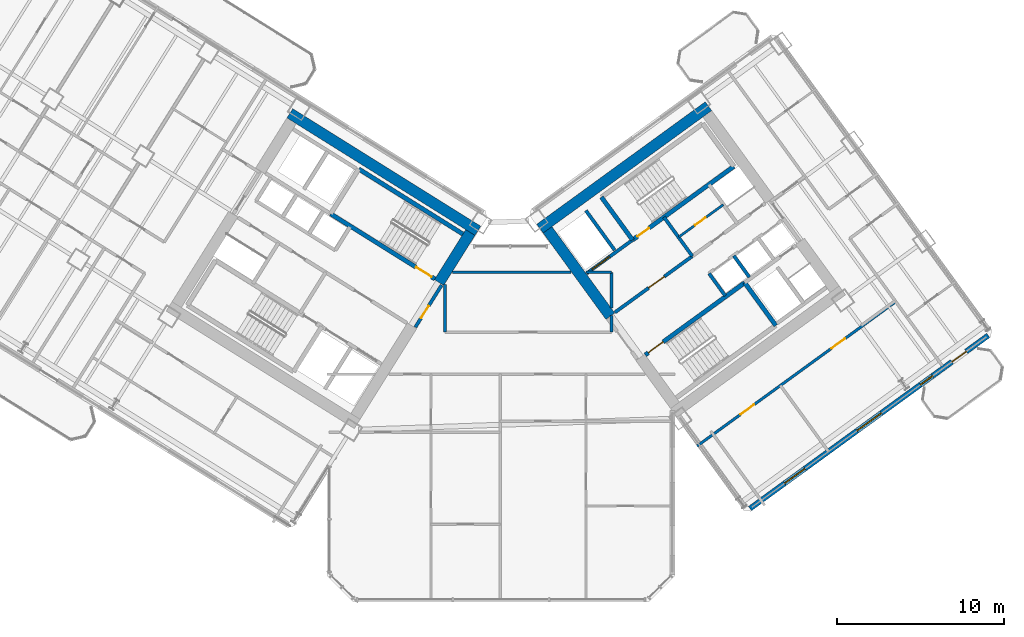
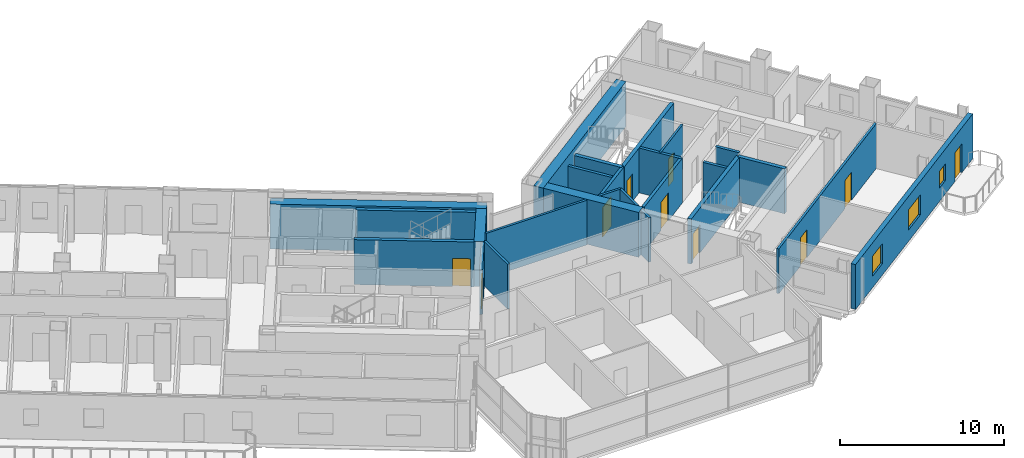
# One storey, part 18 of 28: 25 walls, 10 doors, 3 windows, 13 openings.
"""IFC4 building model written with IfcOpenShell, lengths in metres."""

from ifc_helpers import new_model, si_unit, direction, frame, frame_2d, origin, place, context, subcontext, project, spatial, rectangle, extrude, source, transform, mapped, material, layer, layer_set, type_object, element, fill, save


model = new_model("IFC4")

# Units and contexts
model_context = context("Model", 3, precision=1e-05, world=origin(), true_north=direction((0.0, 1.0)))
body_context = subcontext(model_context, "Body", "Model", "MODEL_VIEW")
ifc_project = project(units=[si_unit("LENGTHUNIT", "METRE"), si_unit("AREAUNIT", "SQUARE_METRE"), si_unit("VOLUMEUNIT", "CUBIC_METRE"), si_unit("PLANEANGLEUNIT", "RADIAN"), si_unit("MASSUNIT", "GRAM", prefix="KILO")], contexts=[model_context])

# Site, building, storey
site_placement = place(None, origin())
site = spatial("IfcSite", under=ifc_project, at=site_placement, CompositionType="ELEMENT")
building_placement = place(site_placement, origin())
building = spatial("IfcBuilding", under=site, at=building_placement, Name="Tlacorven Tower", CompositionType="ELEMENT")
storey_placement = place(building_placement, frame((0.0, 0.0, 56.39990234375)))
storey = spatial("IfcBuildingStorey", under=building, at=storey_placement, Name="L14", CompositionType="ELEMENT", Elevation=56.39990234375)

# Walls
ifc_material_1 = material(Name="Concrete C60/75", Category="concrete")
ifc_layer_1 = layer(ifc_material_1, 0.64990234375)
ifc_layer_set_1 = layer_set([ifc_layer_1], Name="Concrete C60/75")
wall_type_1 = type_object("IfcWallType", Name="WL-COR-650", PredefinedType="SHEAR", material=ifc_layer_set_1)
wall_1_placement = place(storey_placement, frame((40.615478515625, 23.9833984375, 0.0), z_axis=(0.0, 0.0, 1.0), x_axis=(-0.848045953968, 0.529922692436, 0.0)))
element("IfcWall", 1, at=wall_1_placement, inside=storey, type_object=wall_type_1, Name="L14 W core shear wall S1", PredefinedType="SHEAR", context=body_context, shape_type="SweptSolid", body=[
    extrude(rectangle(XDim=13.239990234375, YDim=0.64990234375, at=frame_2d((6.6201171875, 0.0))), origin(), (0.0, 0.0, 1.0), 3.35009765625),
])
wall_2_placement = place(storey_placement, frame((40.167724609375, 23.880126953125, 0.0), z_axis=(0.0, 0.0, 1.0), x_axis=(-0.529893103397, -0.8480644427, 0.0)))
element("IfcWall", 2, at=wall_2_placement, inside=storey, type_object=wall_type_1, Name="L14 W core end wall E1.1", PredefinedType="SHEAR", context=body_context, shape_type="SweptSolid", body=[
    extrude(rectangle(XDim=3.525146484375, YDim=0.64990234375, at=frame_2d((1.7626953125, 0.0))), origin(), (0.0, 0.0, 1.0), 3.35009765625),
])
wall_3_placement = place(storey_placement, frame((44.32470703125, 24.113037109375, 0.0), z_axis=(0.0, 0.0, 1.0), x_axis=(0.809012664862, 0.58779121131, 0.0)))
element("IfcWall", 3, at=wall_3_placement, inside=storey, type_object=wall_type_1, Name="L14 E core shear wall S2", PredefinedType="SHEAR", context=body_context, shape_type="SweptSolid", body=[
    extrude(rectangle(XDim=12.439697265625, YDim=0.64990234375, at=frame_2d((6.2197265625, 0.0))), origin(), (0.0, 0.0, 1.0), 3.35009765625),
])
wall_4_placement = place(storey_placement, frame((48.525634765625, 18.883544921875, 0.0), z_axis=(0.0, 0.0, 1.0), x_axis=(-0.58777996584, 0.809020835181, 0.0)))
element("IfcWall", 4, at=wall_4_placement, inside=storey, type_object=wall_type_1, Name="L14 E core end wall E1.2", PredefinedType="SHEAR", context=body_context, shape_type="SweptSolid", body=[
    extrude(rectangle(XDim=6.375, YDim=0.64990234375, at=frame_2d((3.1875, 0.0))), origin(), (0.0, 0.0, 1.0), 3.35009765625),
])
ifc_material_2 = material(Name="Gypsum plasterboard acoustic partition", Category="gypsum")
ifc_layer_2 = layer(ifc_material_2, 0.159912109375)
ifc_layer_set_2 = layer_set([ifc_layer_2], Name="Gypsum plasterboard acoustic partition")
wall_type_2 = type_object("IfcWallType", Name="WL-DEM-160", PredefinedType="PARTITIONING", material=ifc_layer_set_2)
wall_5_placement = place(storey_placement, frame((38.64990234375, 17.929931640625, 0.0), z_axis=(0.0, 0.0, 1.0), x_axis=(0.0, 1.0, 0.0)))
element("IfcWall", 5, at=wall_5_placement, inside=storey, type_object=wall_type_2, Name="L14 partition 75", PredefinedType="PARTITIONING", context=body_context, shape_type="SweptSolid", body=[
    extrude(rectangle(XDim=2.85693359375, YDim=0.159912109375, at=frame_2d((1.428466796875, 0.0))), origin(), (0.0, 0.0, 1.0), 3.340087890625),
])
wall_6_placement = place(storey_placement, frame((48.60009765625, 17.929931640625, 0.0), z_axis=(0.0, 0.0, 1.0), x_axis=(0.0, 1.0, 0.0)))
element("IfcWall", 6, at=wall_6_placement, inside=storey, type_object=wall_type_2, Name="L14 partition 76", PredefinedType="PARTITIONING", context=body_context, shape_type="SweptSolid", body=[
    extrude(rectangle(XDim=0.99267578125, YDim=0.159912109375, at=frame_2d((0.496337890625, 0.0))), origin(), (0.0, 0.0, 1.0), 3.340087890625),
])
wall_7_placement = place(storey_placement, frame((48.60009765625, 19.380126953125, 0.0), z_axis=(0.0, 0.0, 1.0), x_axis=(0.0, 1.0, 0.0)))
element("IfcWall", 7, at=wall_7_placement, inside=storey, type_object=wall_type_2, Name="L14 partition 76", PredefinedType="PARTITIONING", context=body_context, shape_type="SweptSolid", body=[
    extrude(rectangle(XDim=2.119873046875, YDim=0.159912109375, at=frame_2d((1.06005859375, 0.0))), origin(), (0.0, 0.0, 1.0), 3.340087890625),
])
wall_8_placement = place(storey_placement, frame((39.095458984375, 21.5, 0.0), z_axis=(0.0, 0.0, 1.0), x_axis=(1.0, 0.0, 0.0)))
element("IfcWall", 8, at=wall_8_placement, inside=storey, type_object=wall_type_2, Name="L14 partition 77", PredefinedType="PARTITIONING", context=body_context, shape_type="SweptSolid", body=[
    extrude(rectangle(XDim=7.09423828125, YDim=0.159912109375, at=frame_2d((3.547119140625, 0.0))), origin(), (0.0, 0.0, 1.0), 3.340087890625),
])
wall_9_placement = place(storey_placement, frame((47.059814453125, 21.5, 0.0), z_axis=(0.0, 0.0, 1.0), x_axis=(1.0, 0.0, 0.0)))
element("IfcWall", 9, at=wall_9_placement, inside=storey, type_object=wall_type_2, Name="L14 partition 77", PredefinedType="PARTITIONING", context=body_context, shape_type="SweptSolid", body=[
    extrude(rectangle(XDim=1.540283203125, YDim=0.159912109375, at=frame_2d((0.77001953125, 0.0))), origin(), (0.0, 0.0, 1.0), 3.340087890625),
])

# Wall, openings, doors
wall_10_placement = place(storey_placement, frame((53.70458984375, 11.1259765625, 0.0), z_axis=(0.0, 0.0, 1.0), x_axis=(0.809014504436, 0.587788679384, 0.0)))
wall_10 = element("IfcWall", 10, at=wall_10_placement, inside=storey, type_object=wall_type_2, Name="L14 partition 98", PredefinedType="PARTITIONING", context=body_context, shape_type="SweptSolid", body=[
    extrude(rectangle(XDim=14.669921875, YDim=0.159912109375, at=frame_2d((7.3349609375, 0.0))), origin(), (0.0, 0.0, 1.0), 3.340087890625),
])
opening_1_placement = place(wall_10_placement, frame((3.215087890625, 0.0, 0.0)))
opening_1 = element("IfcOpeningElement", 11, at=opening_1_placement, cuts=wall_10, Name="Opening D11", PredefinedType="OPENING", context=body_context, shape_type="SweptSolid", body=[
    extrude(rectangle(XDim=1.0, YDim=2.10009765625, at=frame_2d((0.5, 1.050048828125))), frame((0.0, 0.08984375, 0.0), z_axis=(0.0, -1.0, 0.0), x_axis=(1.0, 0.0, 0.0)), (0.0, 0.0, 1.0), 0.179931640625),
])
opening_2_placement = place(wall_10_placement, frame((9.9150390625, 0.0, 0.0)))
opening_2 = element("IfcOpeningElement", 12, at=opening_2_placement, cuts=wall_10, Name="Opening D11", PredefinedType="OPENING", context=body_context, shape_type="SweptSolid", body=[
    extrude(rectangle(XDim=1.0, YDim=2.10009765625, at=frame_2d((0.5, 1.050048828125))), frame((0.0, 0.08984375, 0.0), z_axis=(0.0, -1.0, 0.0), x_axis=(1.0, 0.0, 0.0)), (0.0, 0.0, 1.0), 0.179931640625),
])
ifc_material_3 = material(Name="Fire-rated steel door assembly", Category="steel")
door_type_1 = type_object("IfcDoorType", Name="DR-FLT-FD60-1000", OperationType="NOTDEFINED", PredefinedType="DOOR", material=ifc_material_3)
shared_shape_1 = source(origin(), body_context, "Body", "SweptSolid", [
    extrude(rectangle(XDim=1.0, YDim=2.10009765625, at=frame_2d((0.5, 1.050048828125))), frame((0.0, 0.02490234375, 0.0), z_axis=(0.0, -1.0, 0.0), x_axis=(1.0, 0.0, 0.0)), (0.0, 0.0, 1.0), 0.050048828125),
])
door_1_placement = place(opening_1_placement, origin())
door_1 = element("IfcDoor", 13, at=door_1_placement, inside=storey, type_object=door_type_1, Name="L14 door 059", OperationType="SINGLE_SWING_LEFT", OverallHeight=2.10009765625, OverallWidth=1.0, PredefinedType="DOOR", context=body_context, shape_type="MappedRepresentation", body=[
    mapped(shared_shape_1, transform((0.0, 0.0, 0.0), scale=1.0)),
])
fill(opening_1, door_1)
door_2_placement = place(opening_2_placement, origin())
door_2 = element("IfcDoor", 14, at=door_2_placement, inside=storey, type_object=door_type_1, Name="L14 door 060", OperationType="SINGLE_SWING_RIGHT", OverallHeight=2.10009765625, OverallWidth=1.0, PredefinedType="DOOR", context=body_context, shape_type="MappedRepresentation", body=[
    mapped(shared_shape_1, transform((0.0, 0.0, 0.0), scale=1.0)),
])
fill(opening_2, door_2)

# Wall, openings, door, windows
ifc_material_4 = material(Name="Precast concrete C45/55", Category="concrete")
ifc_layer_3 = layer(ifc_material_4, 0.320068359375)
ifc_layer_set_3 = layer_set([ifc_layer_3], Name="Precast concrete C45/55")
wall_type_3 = type_object("IfcWallType", Name="WL-EXT-320", PredefinedType="STANDARD", material=ifc_layer_set_3)
wall_11_placement = place(storey_placement, frame((71.097900390625, 17.73095703125, 0.0), z_axis=(0.0, 0.0, 1.0), x_axis=(-0.809021120468, -0.587779573171, 0.0)))
wall_11 = element("IfcWall", 15, at=wall_11_placement, inside=storey, type_object=wall_type_3, Name="L14 Masonry-Frame Recessed Facade Wall 6", PredefinedType="STANDARD", context=body_context, shape_type="SweptSolid", body=[
    extrude(rectangle(XDim=17.587646484375, YDim=0.320068359375, at=frame_2d((8.7939453125, 0.0))), origin(), (0.0, 0.0, 1.0), 3.35009765625),
])
opening_3_placement = place(wall_11_placement, frame((1.623779296875, 0.0, 0.0)))
opening_3 = element("IfcOpeningElement", 16, at=opening_3_placement, cuts=wall_11, Name="Opening D06", PredefinedType="OPENING", context=body_context, shape_type="SweptSolid", body=[
    extrude(rectangle(XDim=1.050048828125, YDim=2.14990234375, at=frame_2d((0.52490234375, 1.074951171875))), frame((0.0, 0.169921875, 0.0), z_axis=(0.0, -1.0, 0.0), x_axis=(1.0, 0.0, 0.0)), (0.0, 0.0, 1.0), 0.340087890625),
])
opening_4_placement = place(wall_11_placement, frame((4.103759765625, 0.0, 1.0)))
opening_4 = element("IfcOpeningElement", 17, at=opening_4_placement, cuts=wall_11, Name="Opening WN05", PredefinedType="OPENING", context=body_context, shape_type="SweptSolid", body=[
    extrude(rectangle(XDim=0.89990234375, YDim=1.25, at=frame_2d((0.449951171875, 0.625))), frame((0.0, 0.169921875, 0.0), z_axis=(0.0, -1.0, 0.0), x_axis=(1.0, 0.0, 0.0)), (0.0, 0.0, 1.0), 0.340087890625),
])
opening_5_placement = place(wall_11_placement, frame((7.878662109375, 0.0, 0.85009765625)))
opening_5 = element("IfcOpeningElement", 18, at=opening_5_placement, cuts=wall_11, Name="Opening WN01", PredefinedType="OPENING", context=body_context, shape_type="SweptSolid", body=[
    extrude(rectangle(XDim=1.800048828125, YDim=1.5, at=frame_2d((0.89990234375, 0.75))), frame((0.0, 0.169921875, 0.0), z_axis=(0.0, -1.0, 0.0), x_axis=(1.0, 0.0, 0.0)), (0.0, 0.0, 1.0), 0.340087890625),
])
opening_6_placement = place(wall_11_placement, frame((13.52880859375, 0.0, 0.85009765625)))
opening_6 = element("IfcOpeningElement", 19, at=opening_6_placement, cuts=wall_11, Name="Opening WN02", PredefinedType="OPENING", context=body_context, shape_type="SweptSolid", body=[
    extrude(rectangle(XDim=1.5, YDim=1.5, at=frame_2d((0.75, 0.75))), frame((0.0, 0.169921875, 0.0), z_axis=(0.0, -1.0, 0.0), x_axis=(1.0, 0.0, 0.0)), (0.0, 0.0, 1.0), 0.340087890625),
])
ifc_material_5 = material(Name="Powder-coated aluminium and timber door", Category="wood")
door_type_2 = type_object("IfcDoorType", Name="DR-EXT-BALC-1050", OperationType="NOTDEFINED", PredefinedType="DOOR", material=ifc_material_5)
shared_shape_2 = source(origin(), body_context, "Body", "SweptSolid", [
    extrude(rectangle(XDim=1.050048828125, YDim=2.14990234375, at=frame_2d((0.52490234375, 1.074951171875))), frame((0.0, 0.02490234375, 0.0), z_axis=(0.0, -1.0, 0.0), x_axis=(1.0, 0.0, 0.0)), (0.0, 0.0, 1.0), 0.050048828125),
])
door_3_placement = place(opening_3_placement, origin())
door_3 = element("IfcDoor", 20, at=door_3_placement, inside=storey, type_object=door_type_2, Name="L14 Outdoor Access Door BAL-L14-E-OUT", OperationType="SINGLE_SWING_LEFT", OverallHeight=2.14990234375, OverallWidth=1.050048828125, PredefinedType="DOOR", context=body_context, shape_type="MappedRepresentation", body=[
    mapped(shared_shape_2, transform((0.0, 0.0, 0.0), scale=1.0)),
])
fill(opening_3, door_3)
ifc_material_6 = material(Name="Dark solar low-E double glazing in anodised aluminium frame", Category="aluminium")
window_type_1 = type_object("IfcWindowType", Name="WN-APT-1800X1650", PartitioningType="SINGLE_PANEL", PredefinedType="WINDOW", material=ifc_material_6)
shared_shape_3 = source(origin(), body_context, "Body", "SweptSolid", [
    extrude(rectangle(XDim=1.800048828125, YDim=1.5, at=frame_2d((0.89990234375, 0.75))), frame((0.0, 0.030029296875, 0.0), z_axis=(0.0, -1.0, 0.0), x_axis=(1.0, 0.0, 0.0)), (0.0, 0.0, 1.0), 0.06005859375),
])
window_1_placement = place(opening_5_placement, origin())
window_1 = element("IfcWindow", 21, at=window_1_placement, inside=storey, type_object=window_type_1, Name="L14 Recessed Masonry-Frame Window L14-06.2", OverallHeight=1.5, OverallWidth=1.800048828125, PartitioningType="SINGLE_PANEL", PredefinedType="WINDOW", context=body_context, shape_type="MappedRepresentation", body=[
    mapped(shared_shape_3, transform((0.0, 0.0, 0.0), scale=1.0)),
])
fill(opening_5, window_1)
window_type_2 = type_object("IfcWindowType", Name="WN-APT-1500X1650", PartitioningType="SINGLE_PANEL", PredefinedType="WINDOW", material=ifc_material_6)
shared_shape_4 = source(origin(), body_context, "Body", "SweptSolid", [
    extrude(rectangle(XDim=1.5, YDim=1.5, at=frame_2d((0.75, 0.75))), frame((0.0, 0.030029296875, 0.0), z_axis=(0.0, -1.0, 0.0), x_axis=(1.0, 0.0, 0.0)), (0.0, 0.0, 1.0), 0.06005859375),
])
window_2_placement = place(opening_6_placement, origin())
window_2 = element("IfcWindow", 22, at=window_2_placement, inside=storey, type_object=window_type_2, Name="L14 Recessed Masonry-Frame Window L14-06.3", OverallHeight=1.5, OverallWidth=1.5, PartitioningType="SINGLE_PANEL", PredefinedType="WINDOW", context=body_context, shape_type="MappedRepresentation", body=[
    mapped(shared_shape_4, transform((0.0, 0.0, 0.0), scale=1.0)),
])
fill(opening_6, window_2)
window_type_3 = type_object("IfcWindowType", Name="WN-APT-0900X1350", PartitioningType="SINGLE_PANEL", PredefinedType="WINDOW", material=ifc_material_6)
shared_shape_5 = source(origin(), body_context, "Body", "SweptSolid", [
    extrude(rectangle(XDim=0.89990234375, YDim=1.25, at=frame_2d((0.449951171875, 0.625))), frame((0.0, 0.030029296875, 0.0), z_axis=(0.0, -1.0, 0.0), x_axis=(1.0, 0.0, 0.0)), (0.0, 0.0, 1.0), 0.06005859375),
])
window_3_placement = place(opening_4_placement, origin())
window_3 = element("IfcWindow", 23, at=window_3_placement, inside=storey, type_object=window_type_3, Name="L14 Recessed Masonry-Frame Window L14-06.1", OverallHeight=1.25, OverallWidth=0.89990234375, PartitioningType="SINGLE_PANEL", PredefinedType="WINDOW", context=body_context, shape_type="MappedRepresentation", body=[
    mapped(shared_shape_5, transform((0.0, 0.0, 0.0), scale=1.0)),
])
fill(opening_4, window_3)

# Wall, opening, door
ifc_material_7 = material(Name="Moisture-resistant gypsum plumbing wall", Category="gypsum")
ifc_layer_4 = layer(ifc_material_7, 0.139892578125)
ifc_layer_set_4 = layer_set([ifc_layer_4], Name="Moisture-resistant gypsum plumbing wall")
wall_type_4 = type_object("IfcWallType", Name="WL-PLM-140", PredefinedType="PLUMBINGWALL", material=ifc_layer_set_4)
wall_12_placement = place(storey_placement, frame((52.617919921875, 23.612060546875, 0.0), z_axis=(0.0, 0.0, 1.0), x_axis=(0.809009587469, 0.587795446889, 0.0)))
wall_12 = element("IfcWall", 24, at=wall_12_placement, inside=storey, type_object=wall_type_4, Name="L14 partition 45", PredefinedType="PLUMBINGWALL", context=body_context, shape_type="SweptSolid", body=[
    extrude(rectangle(XDim=3.280029296875, YDim=0.139892578125, at=frame_2d((1.64013671875, 0.0))), origin(), (0.0, 0.0, 1.0), 3.340087890625),
])
opening_7_placement = place(wall_12_placement, frame((1.199951171875, 0.0, 0.0)))
opening_7 = element("IfcOpeningElement", 25, at=opening_7_placement, cuts=wall_12, Name="Opening D22", PredefinedType="OPENING", context=body_context, shape_type="SweptSolid", body=[
    extrude(rectangle(XDim=0.780029296875, YDim=2.050048828125, at=frame_2d((0.39013671875, 1.02490234375))), frame((0.0, 0.080078125, 0.0), z_axis=(0.0, -1.0, 0.0), x_axis=(1.0, 0.0, 0.0)), (0.0, 0.0, 1.0), 0.159912109375),
])
door_type_3 = type_object("IfcDoorType", Name="DR-INT-WET-0780", OperationType="NOTDEFINED", PredefinedType="DOOR", material=ifc_material_5)
shared_shape_6 = source(origin(), body_context, "Body", "SweptSolid", [
    extrude(rectangle(XDim=0.780029296875, YDim=2.050048828125, at=frame_2d((0.39013671875, 1.02490234375))), frame((0.0, 0.02490234375, 0.0), z_axis=(0.0, -1.0, 0.0), x_axis=(1.0, 0.0, 0.0)), (0.0, 0.0, 1.0), 0.050048828125),
])
door_4_placement = place(opening_7_placement, origin())
door_4 = element("IfcDoor", 26, at=door_4_placement, inside=storey, type_object=door_type_3, Name="L14 door 018", OperationType="SINGLE_SWING_LEFT", OverallHeight=2.050048828125, OverallWidth=0.780029296875, PredefinedType="DOOR", context=body_context, shape_type="MappedRepresentation", body=[
    mapped(shared_shape_6, transform((0.0, 0.0, 0.0), scale=1.0)),
])
fill(opening_7, door_4)

ifc_material_8 = material(Name="Concrete C40/50", Category="concrete")
ifc_layer_5 = layer(ifc_material_8, 0.199951171875)
ifc_layer_set_5 = layer_set([ifc_layer_5], Name="Concrete C40/50")
wall_type_5 = type_object("IfcWallType", Name="WL-SHF-200", PredefinedType="STANDARD", material=ifc_layer_set_5)
wall_13_placement = place(storey_placement, frame((47.10595703125, 21.4365234375, 0.0), z_axis=(0.0, 0.0, 1.0), x_axis=(0.809012514015, 0.58779141893, 0.0)))
wall_13 = element("IfcWall", 27, at=wall_13_placement, inside=storey, type_object=wall_type_5, Name="L14 Core E Firefighting Lift Shaft Front Wall", PredefinedType="STANDARD", context=body_context, shape_type="SweptSolid", body=[
    extrude(rectangle(XDim=3.39794921875, YDim=0.199951171875, at=frame_2d((1.698974609375, 0.0))), origin(), (0.0, 0.0, 1.0), 3.340087890625),
])
opening_8_placement = place(wall_13_placement, frame((0.407958984375, 0.0, 0.0)))
opening_8 = element("IfcOpeningElement", 28, at=opening_8_placement, cuts=wall_13, Name="Opening LD03", PredefinedType="OPENING", context=body_context, shape_type="SweptSolid", body=[
    extrude(rectangle(XDim=1.300048828125, YDim=2.199951171875, at=frame_2d((0.64990234375, 1.10009765625))), frame((0.0, 0.10986328125, 0.0), z_axis=(0.0, -1.0, 0.0), x_axis=(1.0, 0.0, 0.0)), (0.0, 0.0, 1.0), 0.219970703125),
])
door_type_4 = type_object("IfcDoorType", Name="DR-LFT-SLID-1300", OperationType="DOUBLE_DOOR_SLIDING", PredefinedType="DOOR", material=ifc_material_3)
shared_shape_7 = source(origin(), body_context, "Body", "SweptSolid", [
    extrude(rectangle(XDim=1.300048828125, YDim=2.199951171875, at=frame_2d((0.64990234375, 1.10009765625))), frame((0.0, 0.02490234375, 0.0), z_axis=(0.0, -1.0, 0.0), x_axis=(1.0, 0.0, 0.0)), (0.0, 0.0, 1.0), 0.050048828125),
])
door_5_placement = place(opening_8_placement, origin())
door_5 = element("IfcDoor", 29, at=door_5_placement, inside=storey, type_object=door_type_4, Name="L14 Lift FFL-E1 Sliding Landing Door", OperationType="DOUBLE_DOOR_SLIDING", OverallHeight=2.199951171875, OverallWidth=1.300048828125, PredefinedType="DOOR", context=body_context, shape_type="MappedRepresentation", body=[
    mapped(shared_shape_7, transform((0.0, 0.0, 0.0), scale=1.0)),
])
fill(opening_8, door_5)

wall_14_placement = place(storey_placement, frame((48.798828125, 19.106689453125, 0.0), z_axis=(0.0, 0.0, 1.0), x_axis=(0.809012959416, 0.587790805897, 0.0)))
wall_14 = element("IfcWall", 30, at=wall_14_placement, inside=storey, type_object=wall_type_5, Name="L14 Core E Smoke Lobby Wall", PredefinedType="STANDARD", context=body_context, shape_type="SweptSolid", body=[
    extrude(rectangle(XDim=5.7177734375, YDim=0.199951171875, at=frame_2d((2.85888671875, 0.0))), origin(), (0.0, 0.0, 1.0), 3.340087890625),
])
opening_9_placement = place(wall_14_placement, frame((2.498046875, 0.0, 0.0)))
opening_9 = element("IfcOpeningElement", 31, at=opening_9_placement, cuts=wall_14, Name="Opening D09", PredefinedType="OPENING", context=body_context, shape_type="SweptSolid", body=[
    extrude(rectangle(XDim=1.14990234375, YDim=2.10009765625, at=frame_2d((0.574951171875, 1.050048828125))), frame((0.0, 0.10986328125, 0.0), z_axis=(0.0, -1.0, 0.0), x_axis=(1.0, 0.0, 0.0)), (0.0, 0.0, 1.0), 0.219970703125),
])
door_type_5 = type_object("IfcDoorType", Name="DR-FFL-FD60-1150", OperationType="NOTDEFINED", PredefinedType="DOOR", material=ifc_material_3)
shared_shape_8 = source(origin(), body_context, "Body", "SweptSolid", [
    extrude(rectangle(XDim=1.14990234375, YDim=2.10009765625, at=frame_2d((0.574951171875, 1.050048828125))), frame((0.0, 0.02490234375, 0.0), z_axis=(0.0, -1.0, 0.0), x_axis=(1.0, 0.0, 0.0)), (0.0, 0.0, 1.0), 0.050048828125),
])
door_6_placement = place(opening_9_placement, origin())
door_6 = element("IfcDoor", 32, at=door_6_placement, inside=storey, type_object=door_type_5, Name="L14 Firefighting Lobby E Fire Door", OperationType="SINGLE_SWING_LEFT", OverallHeight=2.10009765625, OverallWidth=1.14990234375, PredefinedType="DOOR", context=body_context, shape_type="MappedRepresentation", body=[
    mapped(shared_shape_8, transform((0.0, 0.0, 0.0), scale=1.0)),
])
fill(opening_9, door_6)

# Walls
wall_15_placement = place(storey_placement, frame((55.390869140625, 20.1015625, 0.0), z_axis=(0.0, 0.0, 1.0), x_axis=(-0.58778447739, 0.809017557374, 0.0)))
element("IfcWall", 33, at=wall_15_placement, inside=storey, type_object=wall_type_5, Name="L14 partition 34", PredefinedType="STANDARD", context=body_context, shape_type="SweptSolid", body=[
    extrude(rectangle(XDim=1.64990234375, YDim=0.199951171875, at=frame_2d((0.824951171875, 0.0))), origin(), (0.0, 0.0, 1.0), 3.340087890625),
])
wall_16_placement = place(storey_placement, frame((48.78564453125, 22.830078125, 0.0), z_axis=(0.0, 0.0, 1.0), x_axis=(-0.587783856777, 0.809018008275, 0.0)))
element("IfcWall", 34, at=wall_16_placement, inside=storey, type_object=wall_type_5, Name="L14 partition 35", PredefinedType="STANDARD", context=body_context, shape_type="SweptSolid", body=[
    extrude(rectangle(XDim=2.919921875, YDim=0.199951171875, at=frame_2d((1.4599609375, 0.0))), origin(), (0.0, 0.0, 1.0), 3.340087890625),
])
wall_17_placement = place(storey_placement, frame((56.833984375, 21.211669921875, 0.0), z_axis=(0.0, 0.0, 1.0), x_axis=(-0.58776738483, 0.809029975545, 0.0)))
element("IfcWall", 35, at=wall_17_placement, inside=storey, type_object=wall_type_5, Name="L14 partition 36", PredefinedType="STANDARD", context=body_context, shape_type="SweptSolid", body=[
    extrude(rectangle(XDim=1.580078125, YDim=0.199951171875, at=frame_2d((0.7900390625, 0.0))), origin(), (0.0, 0.0, 1.0), 3.340087890625),
])
wall_18_placement = place(storey_placement, frame((53.424560546875, 22.467529296875, 0.0), z_axis=(0.0, 0.0, 1.0), x_axis=(-0.5877230039, 0.809062216821, 0.0)))
element("IfcWall", 36, at=wall_18_placement, inside=storey, type_object=wall_type_5, Name="L14 partition 42", PredefinedType="STANDARD", context=body_context, shape_type="SweptSolid", body=[
    extrude(rectangle(XDim=2.8798828125, YDim=0.199951171875, at=frame_2d((1.43994140625, 0.0))), origin(), (0.0, 0.0, 1.0), 3.340087890625),
])

# Wall, opening, door
wall_19_placement = place(storey_placement, frame((38.451416015625, 20.737060546875, 0.0), z_axis=(0.0, 0.0, 1.0), x_axis=(-0.529924799939, -0.848044637038, 0.0)))
wall_19 = element("IfcWall", 37, at=wall_19_placement, inside=storey, type_object=wall_type_5, Name="L14 partition 72", PredefinedType="STANDARD", context=body_context, shape_type="SweptSolid", body=[
    extrude(rectangle(XDim=2.9599609375, YDim=0.199951171875, at=frame_2d((1.47998046875, 0.0))), origin(), (0.0, 0.0, 1.0), 3.340087890625),
])
opening_10_placement = place(wall_19_placement, frame((1.4599609375, 0.0, 0.0)))
opening_10 = element("IfcOpeningElement", 38, at=opening_10_placement, cuts=wall_19, Name="Opening D19", PredefinedType="OPENING", context=body_context, shape_type="SweptSolid", body=[
    extrude(rectangle(XDim=0.860107421875, YDim=2.050048828125, at=frame_2d((0.43017578125, 1.02490234375))), frame((0.0, 0.10986328125, 0.0), z_axis=(0.0, -1.0, 0.0), x_axis=(1.0, 0.0, 0.0)), (0.0, 0.0, 1.0), 0.219970703125),
])
door_type_6 = type_object("IfcDoorType", Name="DR-RSR-FD60-0860", OperationType="NOTDEFINED", PredefinedType="DOOR", material=ifc_material_3)
shared_shape_9 = source(origin(), body_context, "Body", "SweptSolid", [
    extrude(rectangle(XDim=0.860107421875, YDim=2.050048828125, at=frame_2d((0.43017578125, 1.02490234375))), frame((0.0, 0.02490234375, 0.0), z_axis=(0.0, -1.0, 0.0), x_axis=(1.0, 0.0, 0.0)), (0.0, 0.0, 1.0), 0.050048828125),
])
door_7_placement = place(opening_10_placement, frame((0.860107421875, 0.0, 0.0), z_axis=(0.0, 0.0, 1.0), x_axis=(-1.0, 0.0, 0.0)))
door_7 = element("IfcDoor", 39, at=door_7_placement, inside=storey, type_object=door_type_6, Name="L14 door 041", OperationType="SINGLE_SWING_LEFT", OverallHeight=2.050048828125, OverallWidth=0.860107421875, PredefinedType="DOOR", context=body_context, shape_type="MappedRepresentation", body=[
    mapped(shared_shape_9, transform((0.0, 0.0, 0.0), scale=1.0)),
])
fill(opening_10, door_7)

# Wall
ifc_material_9 = material(Name="Concrete C50/60", Category="concrete")
ifc_layer_6 = layer(ifc_material_9, 0.260009765625)
ifc_layer_set_6 = layer_set([ifc_layer_6], Name="Concrete C50/60")
wall_type_6 = type_object("IfcWallType", Name="WL-STW-260", PredefinedType="SHEAR", material=ifc_layer_set_6)
wall_20_placement = place(storey_placement, frame((39.720947265625, 23.787841796875, 0.0), z_axis=(0.0, 0.0, 1.0), x_axis=(-0.848054434086, 0.529909121291, 0.0)))
element("IfcWall", 40, at=wall_20_placement, inside=storey, type_object=wall_type_6, Name="L14 Stair W2 Far Shear Wall", PredefinedType="SHEAR", context=body_context, shape_type="SweptSolid", body=[
    extrude(rectangle(XDim=7.330078125, YDim=0.260009765625, at=frame_2d((3.6650390625, 0.0))), origin(), (0.0, 0.0, 1.0), 3.35009765625),
])

# Wall, opening, door
wall_21_placement = place(storey_placement, frame((38.04638671875, 21.10791015625, 0.0), z_axis=(0.0, 0.0, 1.0), x_axis=(-0.848054434086, 0.529909121291, 0.0)))
wall_21 = element("IfcWall", 41, at=wall_21_placement, inside=storey, type_object=wall_type_6, Name="L14 Stair W2 Lobby Shear Wall", PredefinedType="SHEAR", context=body_context, shape_type="SweptSolid", body=[
    extrude(rectangle(XDim=7.330078125, YDim=0.260009765625, at=frame_2d((3.6650390625, 0.0))), origin(), (0.0, 0.0, 1.0), 3.35009765625),
])
opening_11_placement = place(wall_21_placement, frame((0.219970703125, 0.0, 0.0)))
opening_11 = element("IfcOpeningElement", 42, at=opening_11_placement, cuts=wall_21, Name="Opening D07", PredefinedType="OPENING", context=body_context, shape_type="SweptSolid", body=[
    extrude(rectangle(XDim=1.10009765625, YDim=2.10009765625, at=frame_2d((0.550048828125, 1.050048828125))), frame((0.0, 0.14013671875, 0.0), z_axis=(0.0, -1.0, 0.0), x_axis=(1.0, 0.0, 0.0)), (0.0, 0.0, 1.0), 0.280029296875),
])
door_type_7 = type_object("IfcDoorType", Name="DR-STR-FD90-1100", OperationType="NOTDEFINED", PredefinedType="DOOR", material=ifc_material_3)
shared_shape_10 = source(origin(), body_context, "Body", "SweptSolid", [
    extrude(rectangle(XDim=1.10009765625, YDim=2.10009765625, at=frame_2d((0.550048828125, 1.050048828125))), frame((0.0, 0.02490234375, 0.0), z_axis=(0.0, -1.0, 0.0), x_axis=(1.0, 0.0, 0.0)), (0.0, 0.0, 1.0), 0.050048828125),
])
door_8_placement = place(opening_11_placement, origin())
door_8 = element("IfcDoor", 43, at=door_8_placement, inside=storey, type_object=door_type_7, Name="L14 Exit Stair W2 Fire Door", OperationType="SINGLE_SWING_LEFT", OverallHeight=2.10009765625, OverallWidth=1.10009765625, PredefinedType="DOOR", context=body_context, shape_type="MappedRepresentation", body=[
    mapped(shared_shape_10, transform((0.0, 0.0, 0.0), scale=1.0)),
])
fill(opening_11, door_8)

wall_22_placement = place(storey_placement, frame((49.863037109375, 23.439697265625, 0.0), z_axis=(0.0, 0.0, 1.0), x_axis=(0.809003474932, 0.587803859759, 0.0)))
wall_22 = element("IfcWall", 44, at=wall_22_placement, inside=storey, type_object=wall_type_6, Name="L14 Stair E1 Lobby Shear Wall", PredefinedType="SHEAR", context=body_context, shape_type="SweptSolid", body=[
    extrude(rectangle(XDim=7.4599609375, YDim=0.260009765625, at=frame_2d((3.72998046875, 0.0))), origin(), (0.0, 0.0, 1.0), 3.35009765625),
])
opening_12_placement = place(wall_22_placement, frame((0.360107421875, 0.0, 0.0)))
opening_12 = element("IfcOpeningElement", 45, at=opening_12_placement, cuts=wall_22, Name="Opening D19", PredefinedType="OPENING", context=body_context, shape_type="SweptSolid", body=[
    extrude(rectangle(XDim=0.860107421875, YDim=2.050048828125, at=frame_2d((0.43017578125, 1.02490234375))), frame((0.0, 0.14013671875, 0.0), z_axis=(0.0, -1.0, 0.0), x_axis=(1.0, 0.0, 0.0)), (0.0, 0.0, 1.0), 0.280029296875),
])
door_9_placement = place(opening_12_placement, frame((0.860107421875, 0.0, 0.0), z_axis=(0.0, 0.0, 1.0), x_axis=(-1.0, 0.0, 0.0)))
door_9 = element("IfcDoor", 46, at=door_9_placement, inside=storey, type_object=door_type_6, Name="L14 Exit Stair E1 Fire Door", OperationType="SINGLE_SWING_LEFT", OverallHeight=2.050048828125, OverallWidth=0.860107421875, PredefinedType="DOOR", context=body_context, shape_type="MappedRepresentation", body=[
    mapped(shared_shape_9, transform((0.0, 0.0, 0.0), scale=1.0)),
])
fill(opening_12, door_9)

# Wall
wall_23_placement = place(storey_placement, frame((49.85498046875, 23.433837890625, 0.0), z_axis=(0.0, 0.0, 1.0), x_axis=(-0.58776738483, 0.809029975545, 0.0)))
element("IfcWall", 47, at=wall_23_placement, inside=storey, type_object=wall_type_6, Name="L14 Stair E1 West Shear Wall", PredefinedType="SHEAR", context=body_context, shape_type="SweptSolid", body=[
    extrude(rectangle(XDim=3.16015625, YDim=0.260009765625, at=frame_2d((1.580078125, 0.0))), origin(), (0.0, 0.0, 1.0), 3.35009765625),
])

# Wall, opening, door
wall_24_placement = place(storey_placement, frame((50.61474609375, 16.569580078125, 0.0), z_axis=(0.0, 0.0, 1.0), x_axis=(0.809028366311, 0.587769599847, 0.0)))
wall_24 = element("IfcWall", 48, at=wall_24_placement, inside=storey, type_object=wall_type_6, Name="L14 Stair E2 Lobby Shear Wall", PredefinedType="SHEAR", context=body_context, shape_type="SweptSolid", body=[
    extrude(rectangle(XDim=7.330078125, YDim=0.260009765625, at=frame_2d((3.6650390625, 0.0))), origin(), (0.0, 0.0, 1.0), 3.35009765625),
])
opening_13_placement = place(wall_24_placement, frame((0.219970703125, 0.0, 0.0)))
opening_13 = element("IfcOpeningElement", 49, at=opening_13_placement, cuts=wall_24, Name="Opening D07", PredefinedType="OPENING", context=body_context, shape_type="SweptSolid", body=[
    extrude(rectangle(XDim=1.10009765625, YDim=2.10009765625, at=frame_2d((0.550048828125, 1.050048828125))), frame((0.0, 0.14013671875, 0.0), z_axis=(0.0, -1.0, 0.0), x_axis=(1.0, 0.0, 0.0)), (0.0, 0.0, 1.0), 0.280029296875),
])
door_10_placement = place(opening_13_placement, origin())
door_10 = element("IfcDoor", 50, at=door_10_placement, inside=storey, type_object=door_type_7, Name="L14 Exit Stair E2 Fire Door", OperationType="SINGLE_SWING_RIGHT", OverallHeight=2.10009765625, OverallWidth=1.10009765625, PredefinedType="DOOR", context=body_context, shape_type="MappedRepresentation", body=[
    mapped(shared_shape_10, transform((0.0, 0.0, 0.0), scale=1.0)),
])
fill(opening_13, door_10)

# Wall
wall_25_placement = place(storey_placement, frame((58.410400390625, 18.327392578125, 0.0), z_axis=(0.0, 0.0, 1.0), x_axis=(-0.58776738483, 0.809029975545, 0.0)))
element("IfcWall", 51, at=wall_25_placement, inside=storey, type_object=wall_type_6, Name="L14 Stair E2 East Shear Wall", PredefinedType="SHEAR", context=body_context, shape_type="SweptSolid", body=[
    extrude(rectangle(XDim=3.16015625, YDim=0.260009765625, at=frame_2d((1.580078125, 0.0))), origin(), (0.0, 0.0, 1.0), 3.35009765625),
])

save(model, "model.ifc")
